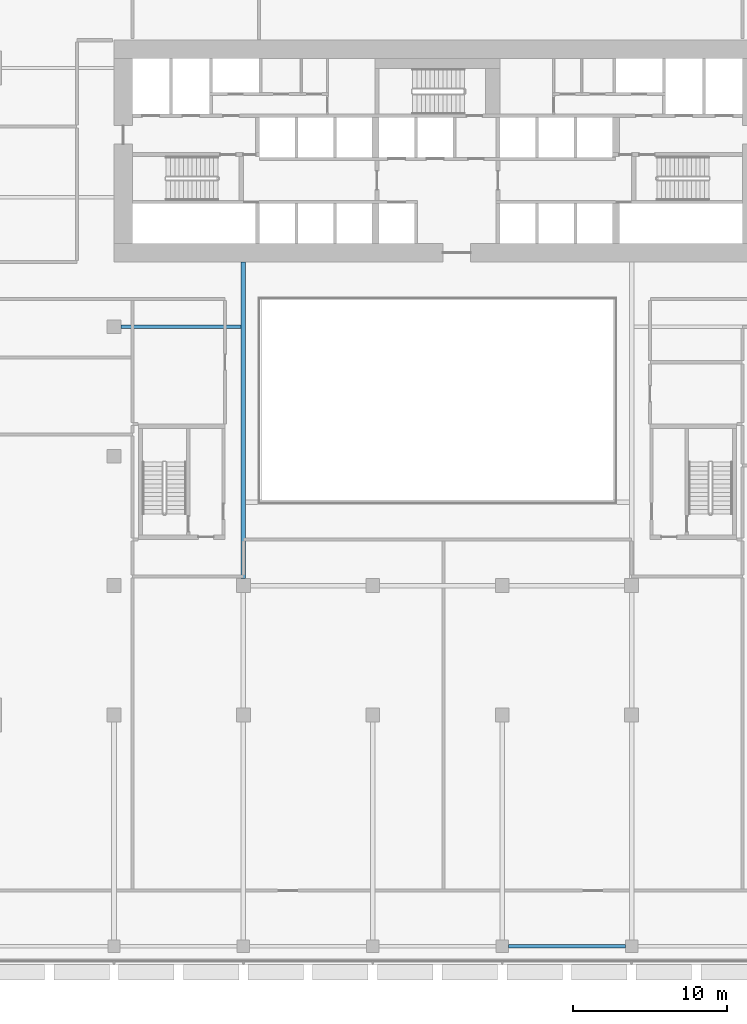
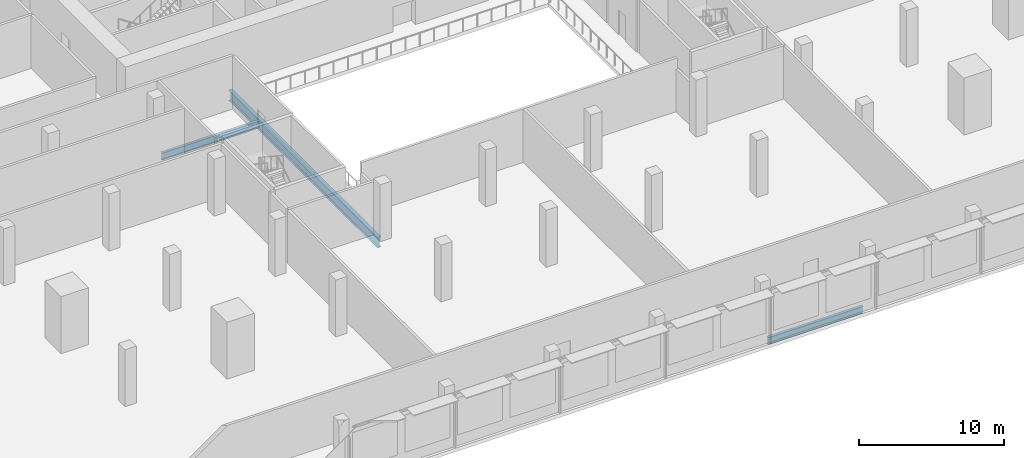
# One storey, part 10 of 39: 3 beams.
"""IFC4 building model written with IfcOpenShell, lengths in metres."""

from ifc_helpers import new_model, si_unit, direction, frame, origin, origin_2d, place, context, subcontext, project, spatial, i_section, extrude, material, material_profile, profile_set, type_object, element, save


model = new_model("IFC4")

# Units and contexts
model_context = context("Model", 3, precision=1e-05, world=origin(), true_north=direction((0.0, 1.0)))
body_context = subcontext(model_context, "Body", "Model", "MODEL_VIEW")
ifc_project = project(units=[si_unit("LENGTHUNIT", "METRE"), si_unit("AREAUNIT", "SQUARE_METRE"), si_unit("VOLUMEUNIT", "CUBIC_METRE"), si_unit("PLANEANGLEUNIT", "RADIAN"), si_unit("MASSUNIT", "GRAM", prefix="KILO")], contexts=[model_context])

# Site, building, storey
site_placement = place(None, origin())
site = spatial("IfcSite", under=ifc_project, at=site_placement, CompositionType="ELEMENT")
building_placement = place(site_placement, origin())
building = spatial("IfcBuilding", under=site, at=building_placement, Name="Saffron Gate Tower", CompositionType="ELEMENT")
storey_placement = place(building_placement, frame((0.0, 0.0, 14.39990234375)))
storey = spatial("IfcBuildingStorey", under=building, at=storey_placement, Name="L02", CompositionType="ELEMENT", Elevation=14.39990234375)

# Beams
ifc_material = material(Name="Structural steel S355", Category="steel")
ifc_material_profile_1 = material_profile(ifc_material, i_section(OverallWidth=0.219970703125, OverallDepth=0.60009765625, WebThickness=0.011962890625, FlangeThickness=0.01904296875, FilletRadius=0.02392578125, at=origin_2d()))
ifc_profile_set_1 = profile_set([ifc_material_profile_1], Name="Structural steel S355")
beam_type_1 = type_object("IfcBeamType", Name="B15 IPE 600", PredefinedType="BEAM", material=ifc_profile_set_1)
beam_1_placement = place(storey_placement, frame((67.050048828125, 57.0, -0.599853515625), z_axis=(1.0, 0.0, 0.0), x_axis=(0.0, 1.0, 0.0)))
element("IfcBeam", 1, at=beam_1_placement, inside=storey, type_object=beam_type_1, Name="B15 CORE TIE BEAM", PredefinedType="BEAM", context=body_context, shape_type="SweptSolid", body=[
    extrude(i_section(OverallWidth=0.219970703125, OverallDepth=0.60009765625, WebThickness=0.011962890625, FlangeThickness=0.01904296875, FilletRadius=0.02392578125, at=origin_2d()), origin(), (0.0, 0.0, 1.0), 7.800048828125),
])
beam_2_placement = place(storey_placement, frame((92.199951171875, 16.800048828125, -0.599853515625), z_axis=(1.0, 0.0, 0.0), x_axis=(0.0, 1.0, 0.0)))
element("IfcBeam", 2, at=beam_2_placement, inside=storey, type_object=beam_type_1, Name="B15 PODIUM EDGE BEAM", PredefinedType="BEAM", context=body_context, shape_type="SweptSolid", body=[
    extrude(i_section(OverallWidth=0.219970703125, OverallDepth=0.60009765625, WebThickness=0.011962890625, FlangeThickness=0.01904296875, FilletRadius=0.02392578125, at=origin_2d()), origin(), (0.0, 0.0, 1.0), 7.60009765625),
])
ifc_material_profile_2 = material_profile(ifc_material, i_section(OverallWidth=0.300048828125, OverallDepth=0.89990234375, WebThickness=0.0185546875, FlangeThickness=0.034912109375, FilletRadius=0.030029296875, at=origin_2d()))
ifc_profile_set_2 = profile_set([ifc_material_profile_2], Name="Structural steel S355")
beam_type_2 = type_object("IfcBeamType", Name="B20 HEB 900", PredefinedType="BEAM", material=ifc_profile_set_2)
beam_3_placement = place(storey_placement, frame((75.0, 40.64990234375, -0.75), z_axis=(0.0, 1.0, 0.0), x_axis=(-1.0, 0.0, 0.0)))
element("IfcBeam", 3, at=beam_3_placement, inside=storey, type_object=beam_type_2, Name="B20 ATRIUM GIRDER", PredefinedType="BEAM", context=body_context, shape_type="SweptSolid", body=[
    extrude(i_section(OverallWidth=0.300048828125, OverallDepth=0.89990234375, WebThickness=0.0185546875, FlangeThickness=0.034912109375, FilletRadius=0.030029296875, at=origin_2d()), origin(), (0.0, 0.0, 1.0), 20.550048828125),
])

save(model, "model.ifc")
